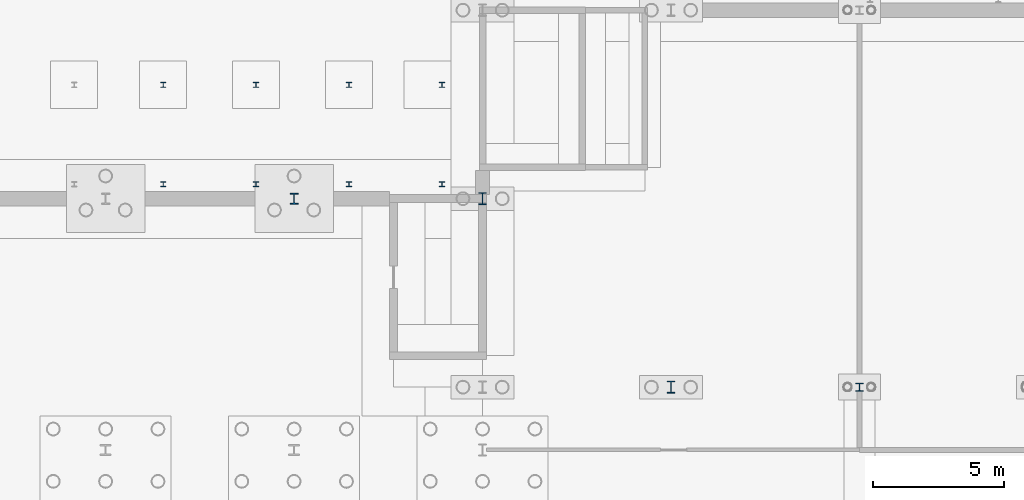
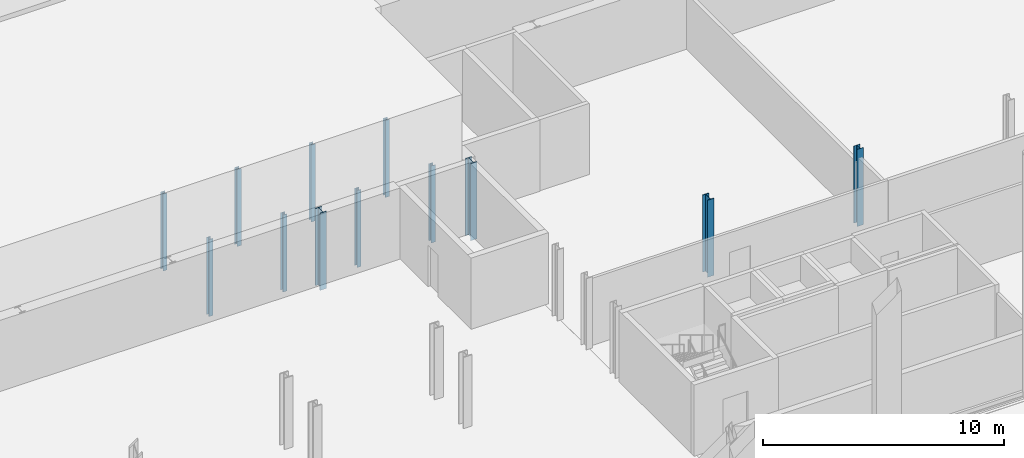
# One storey, part 64 of 148: 12 columns.
"""IFC4 building model written with IfcOpenShell, lengths in metres."""

from ifc_helpers import new_model, si_unit, direction, frame, origin, origin_2d, place, context, subcontext, project, spatial, i_section, extrude, material, material_profile, profile_set, type_object, element, save


model = new_model("IFC4")

# Units and contexts
model_context = context("Model", 3, precision=1e-05, world=origin(), true_north=direction((0.0, 1.0)))
body_context = subcontext(model_context, "Body", "Model", "MODEL_VIEW")
ifc_project = project(units=[si_unit("LENGTHUNIT", "METRE"), si_unit("AREAUNIT", "SQUARE_METRE"), si_unit("VOLUMEUNIT", "CUBIC_METRE"), si_unit("PLANEANGLEUNIT", "RADIAN"), si_unit("MASSUNIT", "GRAM", prefix="KILO")], contexts=[model_context])

# Site, building, storey
site_placement = place(None, origin())
site = spatial("IfcSite", under=ifc_project, at=site_placement, CompositionType="ELEMENT")
building_placement = place(site_placement, origin())
building = spatial("IfcBuilding", under=site, at=building_placement, Name="Kupolbacken Congress Centre", CompositionType="ELEMENT")
storey_placement = place(building_placement, origin())
storey = spatial("IfcBuildingStorey", under=building, at=storey_placement, Name="L00", CompositionType="ELEMENT", Elevation=0.0)

# Columns
ifc_material_1 = material(Name="Steel S355", Category="steel")
ifc_material_profile_1 = material_profile(ifc_material_1, i_section(OverallWidth=0.306884765625, OverallDepth=0.431884765625, WebThickness=0.02099609375, FlangeThickness=0.0400390625, FilletRadius=0.027099609375, at=origin_2d()), Name="HEM 400")
ifc_profile_set_1 = profile_set([ifc_material_profile_1], Name="Steel S355")
column_type_1 = type_object("IfcColumnType", Name="C02 column HEM 400", PredefinedType="COLUMN", material=ifc_profile_set_1)
column_1_placement = place(storey_placement, frame((129.60009765625, 144.0, -0.300048828125), z_axis=(0.0, 0.0, 1.0), x_axis=(1.0, 0.0, 0.0)))
element("IfcColumn", 1, at=column_1_placement, inside=storey, type_object=column_type_1, Name="S/col/C-T-19W/L00", PredefinedType="COLUMN", context=body_context, shape_type="SweptSolid", body=[
    extrude(i_section(OverallWidth=0.306884765625, OverallDepth=0.431884765625, WebThickness=0.02099609375, FlangeThickness=0.0400390625, FilletRadius=0.027099609375, at=origin_2d()), origin(), (0.0, 0.0, 1.0), 3.900146484375),
])
ifc_material_2 = material(Name="Steel S355", Category="steel")
ifc_material_profile_2 = material_profile(ifc_material_2, i_section(OverallWidth=0.300048828125, OverallDepth=0.449951171875, WebThickness=0.013916015625, FlangeThickness=0.02587890625, FilletRadius=0.027099609375, at=origin_2d()), Name="HEB 450")
ifc_profile_set_2 = profile_set([ifc_material_profile_2], Name="Steel S355")
column_type_2 = type_object("IfcColumnType", Name="C03 column HEB 450", PredefinedType="COLUMN", material=ifc_profile_set_2)
for number, where, z_axis, x_axis, name in (
    (2, (144.0, 136.800048828125, -0.300048828125), (0.0, 0.0, 1.0), (1.0, 0.0, 0.0), "S/col/C-BF-21V/L00"),
    (3, (136.800048828125, 144.0, -0.300048828125), (0.0, 0.0, 1.0), (1.0, 0.0, 0.0), "S/col/C-T-20W/L00"),
):
    element("IfcColumn", number, at=place(storey_placement, frame(where, z_axis=z_axis, x_axis=x_axis)), inside=storey, type_object=column_type_2, Name=name, PredefinedType="COLUMN", context=body_context, shape_type="SweptSolid", body=[
        extrude(i_section(OverallWidth=0.300048828125, OverallDepth=0.449951171875, WebThickness=0.013916015625, FlangeThickness=0.02587890625, FilletRadius=0.027099609375, at=origin_2d()), origin(), (0.0, 0.0, 1.0), 3.900146484375),
    ])
ifc_material_3 = material(Name="Steel S355", Category="steel")
ifc_material_profile_3 = material_profile(ifc_material_3, i_section(OverallWidth=0.300048828125, OverallDepth=0.300048828125, WebThickness=0.010986328125, FlangeThickness=0.01904296875, FilletRadius=0.027099609375, at=origin_2d()), Name="HEB 300")
ifc_profile_set_3 = profile_set([ifc_material_profile_3], Name="Steel S355")
column_type_3 = type_object("IfcColumnType", Name="C06 column HEB 300", PredefinedType="COLUMN", material=ifc_profile_set_3)
column_2_placement = place(storey_placement, frame((151.199951171875, 136.800048828125, -0.300048828125), z_axis=(0.0, 0.0, 1.0), x_axis=(1.0, 0.0, 0.0)))
element("IfcColumn", 4, at=column_2_placement, inside=storey, type_object=column_type_3, Name="S/col/C-B-W/L00", PredefinedType="COLUMN", context=body_context, shape_type="SweptSolid", body=[
    extrude(i_section(OverallWidth=0.300048828125, OverallDepth=0.300048828125, WebThickness=0.010986328125, FlangeThickness=0.01904296875, FilletRadius=0.027099609375, at=origin_2d()), origin(), (0.0, 0.0, 1.0), 3.900146484375),
])
ifc_material_4 = material(Name="Steel S355", Category="steel")
ifc_material_profile_4 = material_profile(ifc_material_4, i_section(OverallWidth=0.199951171875, OverallDepth=0.199951171875, WebThickness=0.009033203125, FlangeThickness=0.014892578125, FilletRadius=0.01806640625, at=origin_2d()), Name="HEB 200")
ifc_profile_set_4 = profile_set([ifc_material_profile_4], Name="Steel S355")
column_type_4 = type_object("IfcColumnType", Name="C11 column HEB 200", PredefinedType="COLUMN", material=ifc_profile_set_4)
for number, where, z_axis, x_axis, name in (
    (5, (124.60009765625, 144.550048828125, -0.300048828125), (0.0, 0.0, 1.0), (1.0, 0.0, 0.0), "Covered passage column"),
    (6, (124.60009765625, 148.35009765625, -0.300048828125), (0.0, 0.0, 1.0), (1.0, 0.0, 0.0), "Covered passage column"),
    (7, (128.14990234375, 144.550048828125, -0.300048828125), (0.0, 0.0, 1.0), (1.0, 0.0, 0.0), "Covered passage column"),
    (8, (128.14990234375, 148.35009765625, -0.300048828125), (0.0, 0.0, 1.0), (1.0, 0.0, 0.0), "Covered passage column"),
    (9, (131.699951171875, 144.550048828125, -0.300048828125), (0.0, 0.0, 1.0), (1.0, 0.0, 0.0), "Covered passage column"),
    (10, (131.699951171875, 148.35009765625, -0.300048828125), (0.0, 0.0, 1.0), (1.0, 0.0, 0.0), "Covered passage column"),
    (11, (135.25, 144.550048828125, -0.300048828125), (0.0, 0.0, 1.0), (1.0, 0.0, 0.0), "Covered passage column"),
    (12, (135.25, 148.35009765625, -0.300048828125), (0.0, 0.0, 1.0), (1.0, 0.0, 0.0), "Covered passage column"),
):
    element("IfcColumn", number, at=place(storey_placement, frame(where, z_axis=z_axis, x_axis=x_axis)), inside=storey, type_object=column_type_4, Name=name, PredefinedType="COLUMN", context=body_context, shape_type="SweptSolid", body=[
        extrude(i_section(OverallWidth=0.199951171875, OverallDepth=0.199951171875, WebThickness=0.009033203125, FlangeThickness=0.014892578125, FilletRadius=0.01806640625, at=origin_2d()), origin(), (0.0, 0.0, 1.0), 3.900146484375),
    ])

save(model, "model.ifc")
